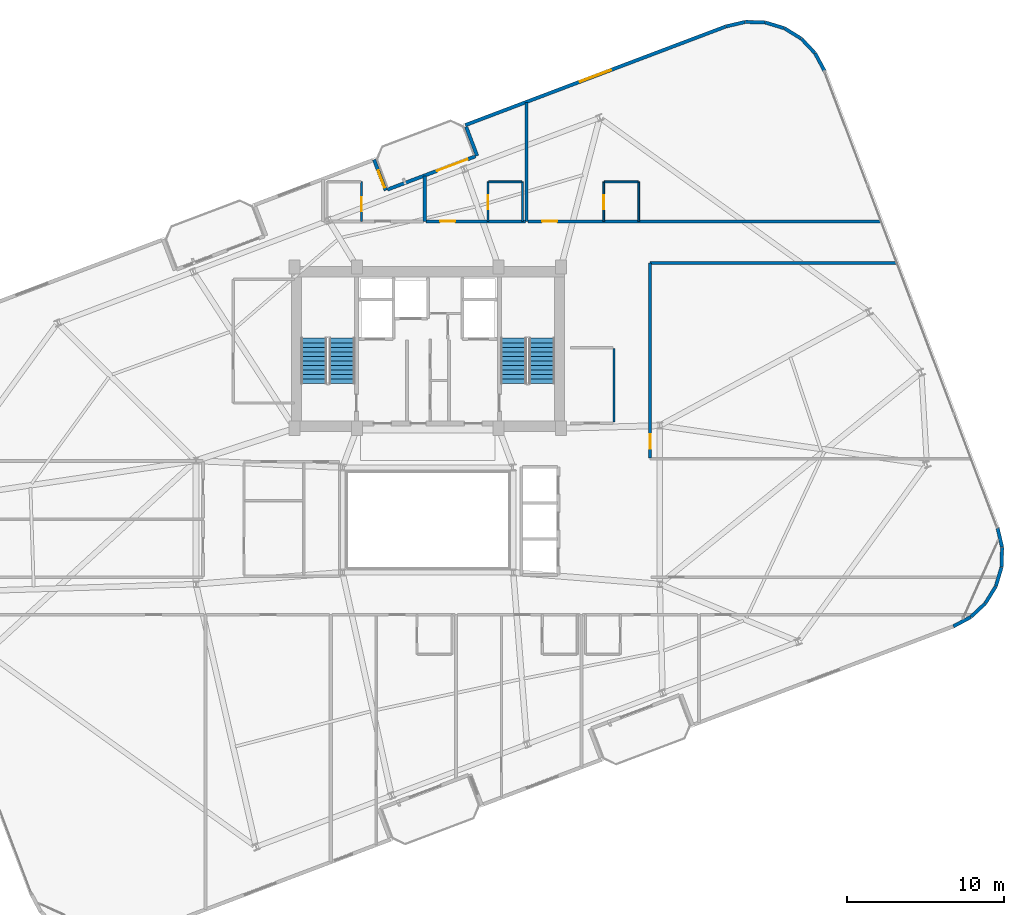
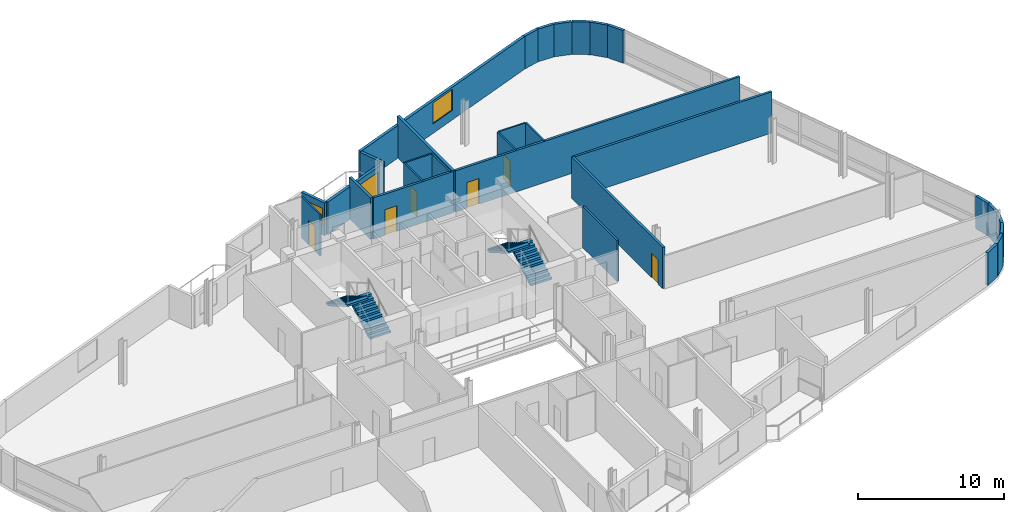
# One storey, part 21 of 24: 30 walls, 7 doors, 4 stair flights, 2 windows, 9 openings, 2 elements without a shape of their own.
"""IFC4 building model written with IfcOpenShell, lengths in metres."""

from ifc_helpers import new_model, si_unit, direction, frame, frame_2d, origin, place, context, subcontext, project, spatial, polyline, rectangle, outline, extrude, material, layer, layer_set, type_object, element, fill, aggregate, save


model = new_model("IFC4")

# Units and contexts
model_context = context("Model", 3, precision=1e-05, world=origin(), true_north=direction((0.0, 1.0)))
body_context = subcontext(model_context, "Body", "Model", "MODEL_VIEW")
ifc_project = project(units=[si_unit("LENGTHUNIT", "METRE"), si_unit("AREAUNIT", "SQUARE_METRE"), si_unit("VOLUMEUNIT", "CUBIC_METRE"), si_unit("PLANEANGLEUNIT", "RADIAN"), si_unit("MASSUNIT", "GRAM", prefix="KILO")], contexts=[model_context])

# Site, building, storey
site_placement = place(None, origin())
site = spatial("IfcSite", under=ifc_project, at=site_placement, CompositionType="ELEMENT")
building_placement = place(site_placement, origin())
building = spatial("IfcBuilding", under=site, at=building_placement, Name="Varnelok Gate Tower", CompositionType="ELEMENT")
storey_placement = place(building_placement, frame((0.0, 0.0, 242.300048828125)))
storey = spatial("IfcBuildingStorey", under=building, at=storey_placement, Name="L62", CompositionType="ELEMENT", Elevation=242.300048828125)

# Wall, opening, door
ifc_material_1 = material(Name="Concrete C45/55", Category="concrete")
ifc_layer_1 = layer(ifc_material_1, 0.219970703125)
ifc_layer_set_1 = layer_set([ifc_layer_1], Name="Concrete C45/55")
wall_type_1 = type_object("IfcWallType", Name="EW-BALC-220", PredefinedType="SOLIDWALL", material=ifc_layer_set_1)
wall_1_placement = place(storey_placement, frame((36.61669921875, 43.98583984375, 0.0), z_axis=(0.0, 0.0, 1.0), x_axis=(0.935227640088, 0.354046976001, 0.0)))
wall_1 = element("IfcWall", 1, at=wall_1_placement, inside=storey, type_object=wall_type_1, Name="L62 North Terrace Envelope Wall 4", PredefinedType="SOLIDWALL", context=body_context, shape_type="SweptSolid", body=[
    extrude(rectangle(XDim=6.0, YDim=0.219970703125, at=frame_2d((3.0, 0.0))), origin(), (0.0, 0.0, 1.0), 2.72998046875),
])
opening_1_placement = place(wall_1_placement, frame((3.376220703125, 0.0, 0.0)))
opening_1 = element("IfcOpeningElement", 2, at=opening_1_placement, cuts=wall_1, Name="Opening BD-2", PredefinedType="OPENING", context=body_context, shape_type="SweptSolid", body=[
    extrude(rectangle(XDim=2.10009765625, YDim=2.300048828125, at=frame_2d((1.050048828125, 1.14990234375))), frame((0.0, 0.119873046875, 0.0), z_axis=(0.0, -1.0, 0.0), x_axis=(1.0, 0.0, 0.0)), (0.0, 0.0, 1.0), 0.239990234375),
])
ifc_material_2 = material(Name="Anodized Aluminum Alloy 6063-T6", Category="aluminium")
door_type_1 = type_object("IfcDoorType", Name="DR-EXT-SLID2100", OperationType="SLIDING_TO_LEFT", PredefinedType="DOOR", material=ifc_material_2)
door_1_placement = place(opening_1_placement, origin())
door_1 = element("IfcDoor", 3, at=door_1_placement, inside=storey, type_object=door_type_1, Name="L62 North Balcony Glazed Door 4", OperationType="SLIDING_TO_LEFT", OverallHeight=2.300048828125, OverallWidth=2.10009765625, PredefinedType="DOOR", context=body_context, shape_type="SweptSolid", body=[
    extrude(rectangle(XDim=2.10009765625, YDim=2.300048828125, at=frame_2d((1.050048828125, 1.14990234375))), frame((0.0, 0.02490234375, 0.0), z_axis=(0.0, -1.0, 0.0), x_axis=(1.0, 0.0, 0.0)), (0.0, 0.0, 1.0), 0.050048828125),
])
fill(opening_1, door_1)

# Walls
wall_2_placement = place(storey_placement, frame((72.74560546875, 16.10498046875, 0.0), z_axis=(0.0, 0.0, 1.0), x_axis=(0.881112879796, 0.472906008693, 0.0)))
element("IfcWall", 4, at=wall_2_placement, inside=storey, type_object=wall_type_1, Name="L62 Perimeter Facade Closure Wall 14", PredefinedType="SOLIDWALL", context=body_context, shape_type="SweptSolid", body=[
    extrude(rectangle(XDim=1.256591796875, YDim=0.219970703125, at=frame_2d((0.62841796875, 0.0))), origin(), (0.0, 0.0, 1.0), 2.72998046875),
])
wall_3_placement = place(storey_placement, frame((73.870849609375, 16.716552734375, 0.0), z_axis=(0.0, 0.0, 1.0), x_axis=(0.728475443486, 0.685071914647, 0.0)))
element("IfcWall", 5, at=wall_3_placement, inside=storey, type_object=wall_type_1, Name="L62 Perimeter Facade Closure Wall 15", PredefinedType="SOLIDWALL", context=body_context, shape_type="SweptSolid", body=[
    extrude(rectangle(XDim=1.248779296875, YDim=0.219970703125, at=frame_2d((0.62451171875, 0.0))), origin(), (0.0, 0.0, 1.0), 2.72998046875),
])
for number, where, z_axis, x_axis, name in (
    (6, (74.793701171875, 17.59326171875, 0.0), (0.0, 0.0, 1.0), (0.526549805576, 0.850144283194, 0.0), "L62 Perimeter Facade Closure Wall 16"),
    (7, (75.458251953125, 18.6787109375, 0.0), (0.0, 0.0, 1.0), (0.288406081086, 0.957508189204, 0.0), "L62 Perimeter Facade Closure Wall 17"),
):
    element("IfcWall", number, at=place(storey_placement, frame(where, z_axis=z_axis, x_axis=x_axis)), inside=storey, type_object=wall_type_1, Name=name, PredefinedType="SOLIDWALL", context=body_context, shape_type="SweptSolid", body=[
        extrude(rectangle(XDim=1.24853515625, YDim=0.219970703125, at=frame_2d((0.624267578125, 0.0))), origin(), (0.0, 0.0, 1.0), 2.72998046875),
    ])
wall_4_placement = place(storey_placement, frame((75.819091796875, 19.8994140625, 0.0), z_axis=(0.0, 0.0, 1.0), x_axis=(0.030898954628, 0.999522513305, 0.0)))
element("IfcWall", 8, at=wall_4_placement, inside=storey, type_object=wall_type_1, Name="L62 Perimeter Facade Closure Wall 18", PredefinedType="SOLIDWALL", context=body_context, shape_type="SweptSolid", body=[
    extrude(rectangle(XDim=1.248291015625, YDim=0.219970703125, at=frame_2d((0.6240234375, 0.0))), origin(), (0.0, 0.0, 1.0), 2.72998046875),
])
wall_5_placement = place(storey_placement, frame((75.851806640625, 21.171630859375, 0.0), z_axis=(0.0, 0.0, 1.0), x_axis=(-0.228941257463, 0.973440239887, 0.0)))
element("IfcWall", 9, at=wall_5_placement, inside=storey, type_object=wall_type_1, Name="L62 Perimeter Facade Closure Wall 19", PredefinedType="SOLIDWALL", context=body_context, shape_type="SweptSolid", body=[
    extrude(rectangle(XDim=1.248779296875, YDim=0.219970703125, at=frame_2d((0.62451171875, 0.0))), origin(), (0.0, 0.0, 1.0), 2.72998046875),
])
wall_6_placement = place(storey_placement, frame((64.519287109375, 51.566162109375, 0.0), z_axis=(0.0, 0.0, 1.0), x_axis=(-0.473093575122, 0.881012184466, 0.0)))
element("IfcWall", 10, at=wall_6_placement, inside=storey, type_object=wall_type_1, Name="L62 Perimeter Facade Closure Wall 20", PredefinedType="SOLIDWALL", context=body_context, shape_type="SweptSolid", body=[
    extrude(rectangle(XDim=1.273681640625, YDim=0.219970703125, at=frame_2d((0.63671875, 0.0))), origin(), (0.0, 0.0, 1.0), 2.72998046875),
])
for number, where, z_axis, x_axis, name in (
    (11, (63.8994140625, 52.706298828125, 0.0), (0.0, 0.0, 1.0), (-0.684870565369, 0.728664743686, 0.0), "L62 Perimeter Facade Closure Wall 21"),
    (12, (63.02294921875, 53.629150390625, 0.0), (0.0, 0.0, 1.0), (-0.850198480006, 0.526462291712, 0.0), "L62 Perimeter Facade Closure Wall 22"),
):
    element("IfcWall", number, at=place(storey_placement, frame(where, z_axis=z_axis, x_axis=x_axis)), inside=storey, type_object=wall_type_1, Name=name, PredefinedType="SOLIDWALL", context=body_context, shape_type="SweptSolid", body=[
        extrude(rectangle(XDim=1.248779296875, YDim=0.219970703125, at=frame_2d((0.62451171875, 0.0))), origin(), (0.0, 0.0, 1.0), 2.72998046875),
    ])
for number, where, z_axis, x_axis, name in (
    (13, (61.937255859375, 54.293701171875, 0.0), (0.0, 0.0, 1.0), (-0.957508189204, 0.288406081086, 0.0), "L62 Perimeter Facade Closure Wall 23"),
    (14, (60.716796875, 54.65478515625, 0.0), (0.0, 0.0, 1.0), (-0.999528718359, 0.030697576053, 0.0), "L62 Perimeter Facade Closure Wall 24"),
):
    element("IfcWall", number, at=place(storey_placement, frame(where, z_axis=z_axis, x_axis=x_axis)), inside=storey, type_object=wall_type_1, Name=name, PredefinedType="SOLIDWALL", context=body_context, shape_type="SweptSolid", body=[
        extrude(rectangle(XDim=1.24853515625, YDim=0.219970703125, at=frame_2d((0.624267578125, 0.0))), origin(), (0.0, 0.0, 1.0), 2.72998046875),
    ])
wall_7_placement = place(storey_placement, frame((59.4443359375, 54.6875, 0.0), z_axis=(0.0, 0.0, 1.0), x_axis=(-0.973409523464, -0.229071821989, 0.0)))
element("IfcWall", 15, at=wall_7_placement, inside=storey, type_object=wall_type_1, Name="L62 Perimeter Facade Closure Wall 25", PredefinedType="SOLIDWALL", context=body_context, shape_type="SweptSolid", body=[
    extrude(rectangle(XDim=1.256591796875, YDim=0.219970703125, at=frame_2d((0.62841796875, 0.0))), origin(), (0.0, 0.0, 1.0), 2.72998046875),
])

# Wall, opening, window
wall_8_placement = place(storey_placement, frame((58.19775390625, 54.390869140625, 0.0), z_axis=(0.0, 0.0, 1.0), x_axis=(-0.935223849772, -0.354056988094, 0.0)))
wall_8 = element("IfcWall", 16, at=wall_8_placement, inside=storey, type_object=wall_type_1, Name="L62 Perimeter Facade Closure Wall 26", PredefinedType="SOLIDWALL", context=body_context, shape_type="SweptSolid", body=[
    extrude(rectangle(XDim=17.7470703125, YDim=0.219970703125, at=frame_2d((8.87353515625, 0.0))), origin(), (0.0, 0.0, 1.0), 2.72998046875),
])
opening_2_placement = place(wall_8_placement, frame((7.823486328125, 0.0, 0.800048828125)))
opening_2 = element("IfcOpeningElement", 17, at=opening_2_placement, cuts=wall_8, Name="Opening WN4", PredefinedType="OPENING", context=body_context, shape_type="SweptSolid", body=[
    extrude(rectangle(XDim=2.10009765625, YDim=1.75, at=frame_2d((1.050048828125, 0.875))), frame((0.0, 0.119873046875, 0.0), z_axis=(0.0, -1.0, 0.0), x_axis=(1.0, 0.0, 0.0)), (0.0, 0.0, 1.0), 0.239990234375),
])
ifc_material_3 = material(Name="Low-E Laminated Double Glazing IGU", Category="glass")
window_type_1 = type_object("IfcWindowType", Name="WN-SUI-2100", PartitioningType="SINGLE_PANEL", PredefinedType="WINDOW", material=ifc_material_3)
window_1_placement = place(opening_2_placement, origin())
window_1 = element("IfcWindow", 18, at=window_1_placement, inside=storey, type_object=window_type_1, Name="L62 Perimeter Vision Window 26", OverallHeight=1.75, OverallWidth=2.10009765625, PartitioningType="SINGLE_PANEL", PredefinedType="WINDOW", context=body_context, shape_type="SweptSolid", body=[
    extrude(rectangle(XDim=2.10009765625, YDim=1.75, at=frame_2d((1.050048828125, 0.875))), frame((0.0, 0.030029296875, 0.0), z_axis=(0.0, -1.0, 0.0), x_axis=(1.0, 0.0, 0.0)), (0.0, 0.0, 1.0), 0.06005859375),
])
fill(opening_2, window_1)

# Wall
wall_9_placement = place(storey_placement, frame((41.64453125, 47.990478515625, 0.0), z_axis=(0.0, 0.0, 1.0), x_axis=(0.354020680661, -0.935237594232, 0.0)))
element("IfcWall", 19, at=wall_9_placement, inside=storey, type_object=wall_type_1, Name="L62 Perimeter Facade Closure Wall 27", PredefinedType="SOLIDWALL", context=body_context, shape_type="SweptSolid", body=[
    extrude(rectangle(XDim=1.97509765625, YDim=0.219970703125, at=frame_2d((0.987548828125, 0.0))), origin(), (0.0, 0.0, 1.0), 2.72998046875),
])

# Wall, opening, window
wall_10_placement = place(storey_placement, frame((36.508056640625, 43.93408203125, 0.0), z_axis=(0.0, 0.0, 1.0), x_axis=(-0.354128469405, 0.935196785258, 0.0)))
wall_10 = element("IfcWall", 20, at=wall_10_placement, inside=storey, type_object=wall_type_1, Name="L62 Perimeter Facade Closure Wall 28", PredefinedType="SOLIDWALL", context=body_context, shape_type="SweptSolid", body=[
    extrude(rectangle(XDim=2.099853515625, YDim=0.219970703125, at=frame_2d((1.0498046875, 0.0))), origin(), (0.0, 0.0, 1.0), 2.72998046875),
])
opening_3_placement = place(wall_10_placement, frame((0.199951171875, 0.0, 0.800048828125)))
opening_3 = element("IfcOpeningElement", 21, at=opening_3_placement, cuts=wall_10, Name="Opening WN8", PredefinedType="OPENING", context=body_context, shape_type="SweptSolid", body=[
    extrude(rectangle(XDim=1.14990234375, YDim=1.39990234375, at=frame_2d((0.574951171875, 0.699951171875))), frame((0.0, 0.119873046875, 0.0), z_axis=(0.0, -1.0, 0.0), x_axis=(1.0, 0.0, 0.0)), (0.0, 0.0, 1.0), 0.239990234375),
])
window_type_2 = type_object("IfcWindowType", Name="WN-BED-1150", PartitioningType="SINGLE_PANEL", PredefinedType="WINDOW", material=ifc_material_3)
window_2_placement = place(opening_3_placement, origin())
window_2 = element("IfcWindow", 22, at=window_2_placement, inside=storey, type_object=window_type_2, Name="L62 Bedroom Vision Window 48", OverallHeight=1.39990234375, OverallWidth=1.14990234375, PartitioningType="SINGLE_PANEL", PredefinedType="WINDOW", context=body_context, shape_type="SweptSolid", body=[
    extrude(rectangle(XDim=1.14990234375, YDim=1.39990234375, at=frame_2d((0.574951171875, 0.699951171875))), frame((0.0, 0.030029296875, 0.0), z_axis=(0.0, -1.0, 0.0), x_axis=(1.0, 0.0, 0.0)), (0.0, 0.0, 1.0), 0.06005859375),
])
fill(opening_3, window_2)

# Wall, opening, door
ifc_material_4 = material(Name="Gypsum Plasterboard Acoustic Partition", Category="gypsum")
ifc_layer_2 = layer(ifc_material_4, 0.179931640625)
ifc_layer_set_2 = layer_set([ifc_layer_2], Name="Gypsum Plasterboard Acoustic Partition")
wall_type_2 = type_object("IfcWallType", Name="PW-CORR-180", PredefinedType="PARTITIONING", material=ifc_layer_set_2)
wall_11_placement = place(storey_placement, frame((39.080078125, 41.9599609375, 0.0), z_axis=(0.0, 0.0, 1.0), x_axis=(1.0, 0.0, 0.0)))
wall_11 = element("IfcWall", 23, at=wall_11_placement, inside=storey, type_object=wall_type_2, Name="Interior Partition", PredefinedType="PARTITIONING", context=body_context, shape_type="SweptSolid", body=[
    extrude(rectangle(XDim=6.33984375, YDim=0.179931640625, at=frame_2d((3.169921875, 0.0))), origin(), (0.0, 0.0, 1.0), 3.449951171875),
])
opening_4_placement = place(wall_11_placement, frame((0.90966796875, 0.0, 0.0)))
opening_4 = element("IfcOpeningElement", 24, at=opening_4_placement, cuts=wall_11, Name="Opening D-HT", PredefinedType="OPENING", context=body_context, shape_type="SweptSolid", body=[
    extrude(rectangle(XDim=0.949951171875, YDim=2.14990234375, at=frame_2d((0.47509765625, 1.074951171875))), frame((0.0, 0.099853515625, 0.0), z_axis=(0.0, -1.0, 0.0), x_axis=(1.0, 0.0, 0.0)), (0.0, 0.0, 1.0), 0.199951171875),
])
ifc_material_5 = material(Name="Engineered Hardwood Timber", Category="wood")
door_type_2 = type_object("IfcDoorType", Name="DR-HTL-950", OperationType="NOTDEFINED", PredefinedType="DOOR", material=ifc_material_5)
door_2_placement = place(opening_4_placement, origin())
door_2 = element("IfcDoor", 25, at=door_2_placement, inside=storey, type_object=door_type_2, Name="L62 Guest Room 09 Entrance Door", OperationType="SINGLE_SWING_RIGHT", OverallHeight=2.14990234375, OverallWidth=0.949951171875, PredefinedType="DOOR", context=body_context, shape_type="SweptSolid", body=[
    extrude(rectangle(XDim=0.949951171875, YDim=2.14990234375, at=frame_2d((0.47509765625, 1.074951171875))), frame((0.0, 0.02490234375, 0.0), z_axis=(0.0, -1.0, 0.0), x_axis=(1.0, 0.0, 0.0)), (0.0, 0.0, 1.0), 0.050048828125),
])
fill(opening_4, door_2)

wall_12_placement = place(storey_placement, frame((45.580078125, 41.9599609375, 0.0), z_axis=(0.0, 0.0, 1.0), x_axis=(1.0, 0.0, 0.0)))
wall_12 = element("IfcWall", 26, at=wall_12_placement, inside=storey, type_object=wall_type_2, Name="Interior Partition", PredefinedType="PARTITIONING", context=body_context, shape_type="SweptSolid", body=[
    extrude(rectangle(XDim=22.515625, YDim=0.179931640625, at=frame_2d((11.2578125, 0.0))), origin(), (0.0, 0.0, 1.0), 3.449951171875),
])
opening_5_placement = place(wall_12_placement, frame((0.916015625, 0.0, 0.0)))
opening_5 = element("IfcOpeningElement", 27, at=opening_5_placement, cuts=wall_12, Name="Opening D-HT", PredefinedType="OPENING", context=body_context, shape_type="SweptSolid", body=[
    extrude(rectangle(XDim=0.949951171875, YDim=2.14990234375, at=frame_2d((0.47509765625, 1.074951171875))), frame((0.0, 0.099853515625, 0.0), z_axis=(0.0, -1.0, 0.0), x_axis=(1.0, 0.0, 0.0)), (0.0, 0.0, 1.0), 0.199951171875),
])
door_3_placement = place(opening_5_placement, origin())
door_3 = element("IfcDoor", 28, at=door_3_placement, inside=storey, type_object=door_type_2, Name="L62 Guest Room 10 Entrance Door", OperationType="SINGLE_SWING_LEFT", OverallHeight=2.14990234375, OverallWidth=0.949951171875, PredefinedType="DOOR", context=body_context, shape_type="SweptSolid", body=[
    extrude(rectangle(XDim=0.949951171875, YDim=2.14990234375, at=frame_2d((0.47509765625, 1.074951171875))), frame((0.0, 0.02490234375, 0.0), z_axis=(0.0, -1.0, 0.0), x_axis=(1.0, 0.0, 0.0)), (0.0, 0.0, 1.0), 0.050048828125),
])
fill(opening_5, door_3)

wall_13_placement = place(storey_placement, frame((53.389892578125, 26.840087890625, 0.0), z_axis=(0.0, 0.0, 1.0), x_axis=(0.0, 1.0, 0.0)))
wall_13 = element("IfcWall", 29, at=wall_13_placement, inside=storey, type_object=wall_type_2, Name="Interior Partition", PredefinedType="PARTITIONING", context=body_context, shape_type="SweptSolid", body=[
    extrude(rectangle(XDim=12.4599609375, YDim=0.179931640625, at=frame_2d((6.22998046875, 0.0))), origin(), (0.0, 0.0, 1.0), 3.449951171875),
])
opening_6_placement = place(wall_13_placement, frame((0.6181640625, 0.0, 0.0)))
opening_6 = element("IfcOpeningElement", 30, at=opening_6_placement, cuts=wall_13, Name="Opening D-I3", PredefinedType="OPENING", context=body_context, shape_type="SweptSolid", body=[
    extrude(rectangle(XDim=0.919921875, YDim=2.050048828125, at=frame_2d((0.4599609375, 1.02490234375))), frame((0.0, 0.099853515625, 0.0), z_axis=(0.0, -1.0, 0.0), x_axis=(1.0, 0.0, 0.0)), (0.0, 0.0, 1.0), 0.199951171875),
])
door_type_3 = type_object("IfcDoorType", Name="DR-INT-920", OperationType="NOTDEFINED", PredefinedType="DOOR", material=ifc_material_5)
door_4_placement = place(opening_6_placement, origin())
door_4 = element("IfcDoor", 31, at=door_4_placement, inside=storey, type_object=door_type_3, Name="L62 East Playroom Door", OperationType="SINGLE_SWING_LEFT", OverallHeight=2.050048828125, OverallWidth=0.919921875, PredefinedType="DOOR", context=body_context, shape_type="SweptSolid", body=[
    extrude(rectangle(XDim=0.919921875, YDim=2.050048828125, at=frame_2d((0.4599609375, 1.02490234375))), frame((0.0, 0.02490234375, 0.0), z_axis=(0.0, -1.0, 0.0), x_axis=(1.0, 0.0, 0.0)), (0.0, 0.0, 1.0), 0.050048828125),
])
fill(opening_6, door_4)

# Wall
wall_14_placement = place(storey_placement, frame((53.389892578125, 39.300048828125, 0.0), z_axis=(0.0, 0.0, 1.0), x_axis=(1.0, 0.0, 0.0)))
element("IfcWall", 32, at=wall_14_placement, inside=storey, type_object=wall_type_2, Name="Interior Partition", PredefinedType="PARTITIONING", context=body_context, shape_type="SweptSolid", body=[
    extrude(rectangle(XDim=15.712890625, YDim=0.179931640625, at=frame_2d((7.8564453125, 0.0))), origin(), (0.0, 0.0, 1.0), 3.449951171875),
])

# Wall, opening, door
ifc_layer_3 = layer(ifc_material_4, 0.114990234375)
ifc_layer_set_3 = layer_set([ifc_layer_3], Name="Gypsum Plasterboard Acoustic Partition")
wall_type_3 = type_object("IfcWallType", Name="PW-ENS-125", PredefinedType="PARTITIONING", material=ifc_layer_set_3)
wall_15_placement = place(storey_placement, frame((34.964111328125, 41.9599609375, 0.0), z_axis=(0.0, 0.0, 1.0), x_axis=(0.0, 1.0, 0.0)))
wall_15 = element("IfcWall", 33, at=wall_15_placement, inside=storey, type_object=wall_type_3, Name="Interior Partition", PredefinedType="PARTITIONING", context=body_context, shape_type="SweptSolid", body=[
    extrude(rectangle(XDim=2.52001953125, YDim=0.114990234375, at=frame_2d((1.260009765625, 0.0))), origin(), (0.0, 0.0, 1.0), 3.449951171875),
])
opening_7_placement = place(wall_15_placement, frame((0.63818359375, 0.0, 0.0)))
opening_7 = element("IfcOpeningElement", 34, at=opening_7_placement, cuts=wall_15, Name="Opening D-WC", PredefinedType="OPENING", context=body_context, shape_type="SweptSolid", body=[
    extrude(rectangle(XDim=0.89990234375, YDim=2.050048828125, at=frame_2d((0.449951171875, 1.02490234375))), frame((0.0, 0.0673828125, 0.0), z_axis=(0.0, -1.0, 0.0), x_axis=(1.0, 0.0, 0.0)), (0.0, 0.0, 1.0), 0.135009765625),
])
door_type_4 = type_object("IfcDoorType", Name="DR-BATH-900", OperationType="NOTDEFINED", PredefinedType="DOOR", material=ifc_material_5)
door_5_placement = place(opening_7_placement, origin())
door_5 = element("IfcDoor", 35, at=door_5_placement, inside=storey, type_object=door_type_4, Name="L62 North En-Suite 08 Door", OperationType="SINGLE_SWING_RIGHT", OverallHeight=2.050048828125, OverallWidth=0.89990234375, PredefinedType="DOOR", context=body_context, shape_type="SweptSolid", body=[
    extrude(rectangle(XDim=0.89990234375, YDim=2.050048828125, at=frame_2d((0.449951171875, 1.02490234375))), frame((0.0, 0.02490234375, 0.0), z_axis=(0.0, -1.0, 0.0), x_axis=(1.0, 0.0, 0.0)), (0.0, 0.0, 1.0), 0.050048828125),
])
fill(opening_7, door_5)

# Wall
wall_16_placement = place(storey_placement, frame((43.075927734375, 44.47998046875, 0.0), z_axis=(0.0, 0.0, 1.0), x_axis=(1.0, 0.0, 0.0)))
element("IfcWall", 36, at=wall_16_placement, inside=storey, type_object=wall_type_3, Name="Interior Partition", PredefinedType="PARTITIONING", context=body_context, shape_type="SweptSolid", body=[
    extrude(rectangle(XDim=2.1240234375, YDim=0.114990234375, at=frame_2d((1.06201171875, 0.0))), origin(), (0.0, 0.0, 1.0), 3.449951171875),
])

# Wall, opening, door
wall_17_placement = place(storey_placement, frame((43.035888671875, 41.9599609375, 0.0), z_axis=(0.0, 0.0, 1.0), x_axis=(0.0, 1.0, 0.0)))
wall_17 = element("IfcWall", 37, at=wall_17_placement, inside=storey, type_object=wall_type_3, Name="Interior Partition", PredefinedType="PARTITIONING", context=body_context, shape_type="SweptSolid", body=[
    extrude(rectangle(XDim=2.52001953125, YDim=0.114990234375, at=frame_2d((1.260009765625, 0.0))), origin(), (0.0, 0.0, 1.0), 3.449951171875),
])
opening_8_placement = place(wall_17_placement, frame((0.760009765625, 0.0, 0.0)))
opening_8 = element("IfcOpeningElement", 38, at=opening_8_placement, cuts=wall_17, Name="Opening D-WC", PredefinedType="OPENING", context=body_context, shape_type="SweptSolid", body=[
    extrude(rectangle(XDim=0.89990234375, YDim=2.050048828125, at=frame_2d((0.449951171875, 1.02490234375))), frame((0.0, 0.0673828125, 0.0), z_axis=(0.0, -1.0, 0.0), x_axis=(1.0, 0.0, 0.0)), (0.0, 0.0, 1.0), 0.135009765625),
])
door_6_placement = place(opening_8_placement, origin())
door_6 = element("IfcDoor", 39, at=door_6_placement, inside=storey, type_object=door_type_4, Name="L62 North En-Suite 09 Door", OperationType="SINGLE_SWING_LEFT", OverallHeight=2.050048828125, OverallWidth=0.89990234375, PredefinedType="DOOR", context=body_context, shape_type="SweptSolid", body=[
    extrude(rectangle(XDim=0.89990234375, YDim=2.050048828125, at=frame_2d((0.449951171875, 1.02490234375))), frame((0.0, 0.02490234375, 0.0), z_axis=(0.0, -1.0, 0.0), x_axis=(1.0, 0.0, 0.0)), (0.0, 0.0, 1.0), 0.050048828125),
])
fill(opening_8, door_6)

# Walls
wall_18_placement = place(storey_placement, frame((45.239990234375, 41.9599609375, 0.0), z_axis=(0.0, 0.0, 1.0), x_axis=(0.0, 1.0, 0.0)))
element("IfcWall", 40, at=wall_18_placement, inside=storey, type_object=wall_type_3, Name="Interior Partition", PredefinedType="PARTITIONING", context=body_context, shape_type="SweptSolid", body=[
    extrude(rectangle(XDim=2.52001953125, YDim=0.114990234375, at=frame_2d((1.260009765625, 0.0))), origin(), (0.0, 0.0, 1.0), 3.449951171875),
])
wall_19_placement = place(storey_placement, frame((50.469970703125, 44.47998046875, 0.0), z_axis=(0.0, 0.0, 1.0), x_axis=(1.0, 0.0, 0.0)))
element("IfcWall", 41, at=wall_19_placement, inside=storey, type_object=wall_type_3, Name="Interior Partition", PredefinedType="PARTITIONING", context=body_context, shape_type="SweptSolid", body=[
    extrude(rectangle(XDim=2.150146484375, YDim=0.114990234375, at=frame_2d((1.0751953125, 0.0))), origin(), (0.0, 0.0, 1.0), 3.449951171875),
])

# Wall, opening, door
wall_20_placement = place(storey_placement, frame((50.429931640625, 41.9599609375, 0.0), z_axis=(0.0, 0.0, 1.0), x_axis=(0.0, 1.0, 0.0)))
wall_20 = element("IfcWall", 42, at=wall_20_placement, inside=storey, type_object=wall_type_3, Name="Interior Partition", PredefinedType="PARTITIONING", context=body_context, shape_type="SweptSolid", body=[
    extrude(rectangle(XDim=2.52001953125, YDim=0.114990234375, at=frame_2d((1.260009765625, 0.0))), origin(), (0.0, 0.0, 1.0), 3.449951171875),
])
opening_9_placement = place(wall_20_placement, frame((0.760009765625, 0.0, 0.0)))
opening_9 = element("IfcOpeningElement", 43, at=opening_9_placement, cuts=wall_20, Name="Opening D-WC", PredefinedType="OPENING", context=body_context, shape_type="SweptSolid", body=[
    extrude(rectangle(XDim=0.89990234375, YDim=2.050048828125, at=frame_2d((0.449951171875, 1.02490234375))), frame((0.0, 0.0673828125, 0.0), z_axis=(0.0, -1.0, 0.0), x_axis=(1.0, 0.0, 0.0)), (0.0, 0.0, 1.0), 0.135009765625),
])
door_7_placement = place(opening_9_placement, origin())
door_7 = element("IfcDoor", 44, at=door_7_placement, inside=storey, type_object=door_type_4, Name="L62 North En-Suite 10 Door", OperationType="SINGLE_SWING_LEFT", OverallHeight=2.050048828125, OverallWidth=0.89990234375, PredefinedType="DOOR", context=body_context, shape_type="SweptSolid", body=[
    extrude(rectangle(XDim=0.89990234375, YDim=2.050048828125, at=frame_2d((0.449951171875, 1.02490234375))), frame((0.0, 0.02490234375, 0.0), z_axis=(0.0, -1.0, 0.0), x_axis=(1.0, 0.0, 0.0)), (0.0, 0.0, 1.0), 0.050048828125),
])
fill(opening_9, door_7)

# Walls
wall_21_placement = place(storey_placement, frame((52.659912109375, 41.9599609375, 0.0), z_axis=(0.0, 0.0, 1.0), x_axis=(0.0, 1.0, 0.0)))
element("IfcWall", 45, at=wall_21_placement, inside=storey, type_object=wall_type_3, Name="Interior Partition", PredefinedType="PARTITIONING", context=body_context, shape_type="SweptSolid", body=[
    extrude(rectangle(XDim=2.52001953125, YDim=0.114990234375, at=frame_2d((1.260009765625, 0.0))), origin(), (0.0, 0.0, 1.0), 3.449951171875),
])
ifc_layer_4 = layer(ifc_material_4, 0.14990234375)
ifc_layer_set_4 = layer_set([ifc_layer_4], Name="Gypsum Plasterboard Acoustic Partition")
wall_type_4 = type_object("IfcWallType", Name="PW-PART-150", PredefinedType="PARTITIONING", material=ifc_layer_set_4)
wall_22_placement = place(storey_placement, frame((51.080078125, 29.139892578125, 0.0), z_axis=(0.0, 0.0, 1.0), x_axis=(0.0, 1.0, 0.0)))
element("IfcWall", 46, at=wall_22_placement, inside=storey, type_object=wall_type_4, Name="Interior Partition", PredefinedType="PARTITIONING", context=body_context, shape_type="SweptSolid", body=[
    extrude(rectangle(XDim=4.690185546875, YDim=0.14990234375, at=frame_2d((2.34521484375, 0.0))), origin(), (0.0, 0.0, 1.0), 3.449951171875),
])
ifc_layer_5 = layer(ifc_material_4, 0.205078125)
ifc_layer_set_5 = layer_set([ifc_layer_5], Name="Gypsum Plasterboard Acoustic Partition")
wall_type_5 = type_object("IfcWallType", Name="PW-PARTY-200", PredefinedType="PARTITIONING", material=ifc_layer_set_5)
wall_23_placement = place(storey_placement, frame((39.0, 41.9599609375, 0.0), z_axis=(0.0, 0.0, 1.0), x_axis=(0.0, 1.0, 0.0)))
element("IfcWall", 47, at=wall_23_placement, inside=storey, type_object=wall_type_5, Name="L62 North Party Wall 2", PredefinedType="PARTITIONING", context=body_context, shape_type="SweptSolid", body=[
    extrude(rectangle(XDim=2.89599609375, YDim=0.205078125, at=frame_2d((1.447998046875, 0.0))), origin(), (0.0, 0.0, 1.0), 3.449951171875),
])
wall_24_placement = place(storey_placement, frame((45.5, 41.9599609375, 0.0), z_axis=(0.0, 0.0, 1.0), x_axis=(0.0, 1.0, 0.0)))
element("IfcWall", 48, at=wall_24_placement, inside=storey, type_object=wall_type_5, Name="L62 North Party Wall 3", PredefinedType="PARTITIONING", context=body_context, shape_type="SweptSolid", body=[
    extrude(rectangle(XDim=7.602294921875, YDim=0.205078125, at=frame_2d((3.80126953125, 0.0))), origin(), (0.0, 0.0, 1.0), 3.449951171875),
])

# Stair, stair flights
ifc_material_6 = material(Name="Concrete C50/60", Category="concrete")
stair_type = type_object("IfcStairType", Name="STR-CORE-1650", PredefinedType="HALF_TURN_STAIR", material=ifc_material_6)
stair_1_placement = place(storey_placement, origin())
stair_1 = element("IfcStair", 49, at=stair_1_placement, inside=storey, type_object=stair_type, Name="L62 Exit Stair ST-1", PredefinedType="HALF_TURN_STAIR")
stair_flight_type = type_object("IfcStairFlightType", Name="SFL-CORE-1650", PredefinedType="STRAIGHT", material=ifc_material_6)
stair_flight_1_placement = place(storey_placement, frame((33.72509765625, 31.60009765625, 0.0), z_axis=(0.0, 0.0, 1.0), x_axis=(0.0, 1.0, 0.0)))
stair_flight_1 = element("IfcStairFlight", 50, at=stair_flight_1_placement, type_object=stair_flight_type, Name="ST-1 flight 1", NumberOfRisers=11, NumberOfTreads=10, PredefinedType="STRAIGHT", RiserHeight=0.168181818, TreadLength=0.29, context=body_context, shape_type="SweptSolid", body=[
    extrude(outline(polyline([(0.0, 0.0), (0.0, 0.168212890625), (0.2900390625, 0.168212890625), (0.2900390625, 0.33642578125), (0.580078125, 0.33642578125), (0.580078125, 0.504638671875), (0.8701171875, 0.504638671875), (0.8701171875, 0.672607421875), (1.159912109375, 0.672607421875), (1.159912109375, 0.8408203125), (1.449951171875, 0.8408203125), (1.449951171875, 1.009033203125), (1.739990234375, 1.009033203125), (1.739990234375, 1.17724609375), (2.030029296875, 1.17724609375), (2.030029296875, 1.345458984375), (2.320068359375, 1.345458984375), (2.320068359375, 1.513671875), (2.610107421875, 1.513671875), (2.610107421875, 1.681884765625), (2.89990234375, 1.681884765625), (2.89990234375, 1.85009765625), (2.89990234375, 1.508544921875), (0.298828125, 0.0), (0.0, 0.0)])), frame((0.0, 0.824951171875, 0.0), z_axis=(0.0, -1.0, 0.0), x_axis=(1.0, 0.0, 0.0)), (0.0, 0.0, 1.0), 1.64990234375),
])
stair_flight_2_placement = place(storey_placement, frame((31.925048828125, 34.5, 1.849853515625), z_axis=(0.0, 0.0, 1.0), x_axis=(0.0, -1.0, 0.0)))
stair_flight_2 = element("IfcStairFlight", 51, at=stair_flight_2_placement, type_object=stair_flight_type, Name="ST-1 flight 2", NumberOfRisers=11, NumberOfTreads=10, PredefinedType="STRAIGHT", RiserHeight=0.168181818, TreadLength=0.29, context=body_context, shape_type="SweptSolid", body=[
    extrude(outline(polyline([(0.0, 0.0), (0.0, 0.168212890625), (0.2900390625, 0.168212890625), (0.2900390625, 0.33642578125), (0.580078125, 0.33642578125), (0.580078125, 0.504638671875), (0.8701171875, 0.504638671875), (0.8701171875, 0.672607421875), (1.159912109375, 0.672607421875), (1.159912109375, 0.8408203125), (1.449951171875, 0.8408203125), (1.449951171875, 1.009033203125), (1.739990234375, 1.009033203125), (1.739990234375, 1.17724609375), (2.030029296875, 1.17724609375), (2.030029296875, 1.345458984375), (2.320068359375, 1.345458984375), (2.320068359375, 1.513671875), (2.610107421875, 1.513671875), (2.610107421875, 1.681884765625), (2.89990234375, 1.681884765625), (2.89990234375, 1.85009765625), (2.89990234375, 1.508544921875), (0.298828125, 0.0), (0.0, 0.0)])), frame((0.0, 0.824951171875, 0.0), z_axis=(0.0, -1.0, 0.0), x_axis=(1.0, 0.0, 0.0)), (0.0, 0.0, 1.0), 1.64990234375),
])
aggregate(stair_1, [stair_flight_1, stair_flight_2])

stair_2_placement = place(storey_placement, origin())
stair_2 = element("IfcStair", 52, at=stair_2_placement, inside=storey, type_object=stair_type, Name="L62 Exit Stair ST-2", PredefinedType="HALF_TURN_STAIR")
stair_flight_3_placement = place(storey_placement, frame((46.47509765625, 31.60009765625, 0.0), z_axis=(0.0, 0.0, 1.0), x_axis=(0.0, 1.0, 0.0)))
stair_flight_3 = element("IfcStairFlight", 53, at=stair_flight_3_placement, type_object=stair_flight_type, Name="ST-2 flight 1", NumberOfRisers=11, NumberOfTreads=10, PredefinedType="STRAIGHT", RiserHeight=0.168181818, TreadLength=0.29, context=body_context, shape_type="SweptSolid", body=[
    extrude(outline(polyline([(0.0, 0.0), (0.0, 0.168212890625), (0.2900390625, 0.168212890625), (0.2900390625, 0.33642578125), (0.580078125, 0.33642578125), (0.580078125, 0.504638671875), (0.8701171875, 0.504638671875), (0.8701171875, 0.672607421875), (1.159912109375, 0.672607421875), (1.159912109375, 0.8408203125), (1.449951171875, 0.8408203125), (1.449951171875, 1.009033203125), (1.739990234375, 1.009033203125), (1.739990234375, 1.17724609375), (2.030029296875, 1.17724609375), (2.030029296875, 1.345458984375), (2.320068359375, 1.345458984375), (2.320068359375, 1.513671875), (2.610107421875, 1.513671875), (2.610107421875, 1.681884765625), (2.89990234375, 1.681884765625), (2.89990234375, 1.85009765625), (2.89990234375, 1.508544921875), (0.298828125, 0.0), (0.0, 0.0)])), frame((0.0, 0.824951171875, 0.0), z_axis=(0.0, -1.0, 0.0), x_axis=(1.0, 0.0, 0.0)), (0.0, 0.0, 1.0), 1.64990234375),
])
stair_flight_4_placement = place(storey_placement, frame((44.675048828125, 34.5, 1.849853515625), z_axis=(0.0, 0.0, 1.0), x_axis=(0.0, -1.0, 0.0)))
stair_flight_4 = element("IfcStairFlight", 54, at=stair_flight_4_placement, type_object=stair_flight_type, Name="ST-2 flight 2", NumberOfRisers=11, NumberOfTreads=10, PredefinedType="STRAIGHT", RiserHeight=0.168181818, TreadLength=0.29, context=body_context, shape_type="SweptSolid", body=[
    extrude(outline(polyline([(0.0, 0.0), (0.0, 0.168212890625), (0.2900390625, 0.168212890625), (0.2900390625, 0.33642578125), (0.580078125, 0.33642578125), (0.580078125, 0.504638671875), (0.8701171875, 0.504638671875), (0.8701171875, 0.672607421875), (1.159912109375, 0.672607421875), (1.159912109375, 0.8408203125), (1.449951171875, 0.8408203125), (1.449951171875, 1.009033203125), (1.739990234375, 1.009033203125), (1.739990234375, 1.17724609375), (2.030029296875, 1.17724609375), (2.030029296875, 1.345458984375), (2.320068359375, 1.345458984375), (2.320068359375, 1.513671875), (2.610107421875, 1.513671875), (2.610107421875, 1.681884765625), (2.89990234375, 1.681884765625), (2.89990234375, 1.85009765625), (2.89990234375, 1.508544921875), (0.298828125, 0.0), (0.0, 0.0)])), frame((0.0, 0.824951171875, 0.0), z_axis=(0.0, -1.0, 0.0), x_axis=(1.0, 0.0, 0.0)), (0.0, 0.0, 1.0), 1.64990234375),
])
aggregate(stair_2, [stair_flight_3, stair_flight_4])

save(model, "model.ifc")
